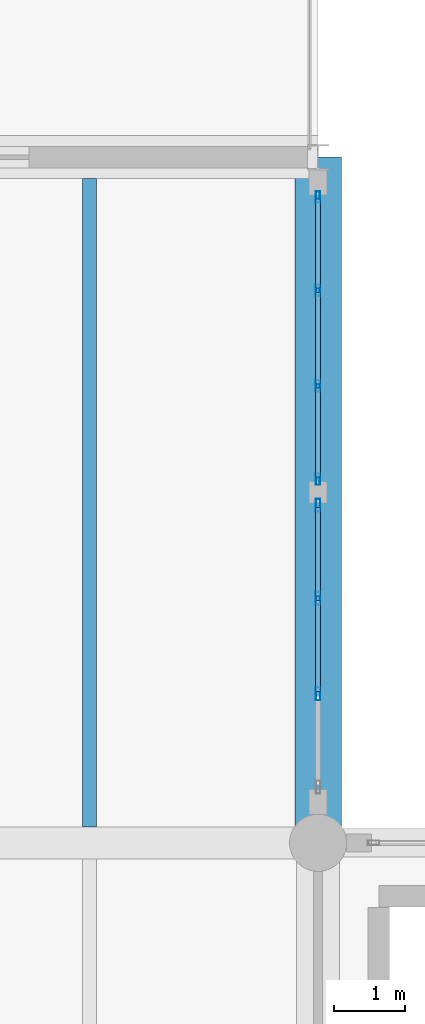
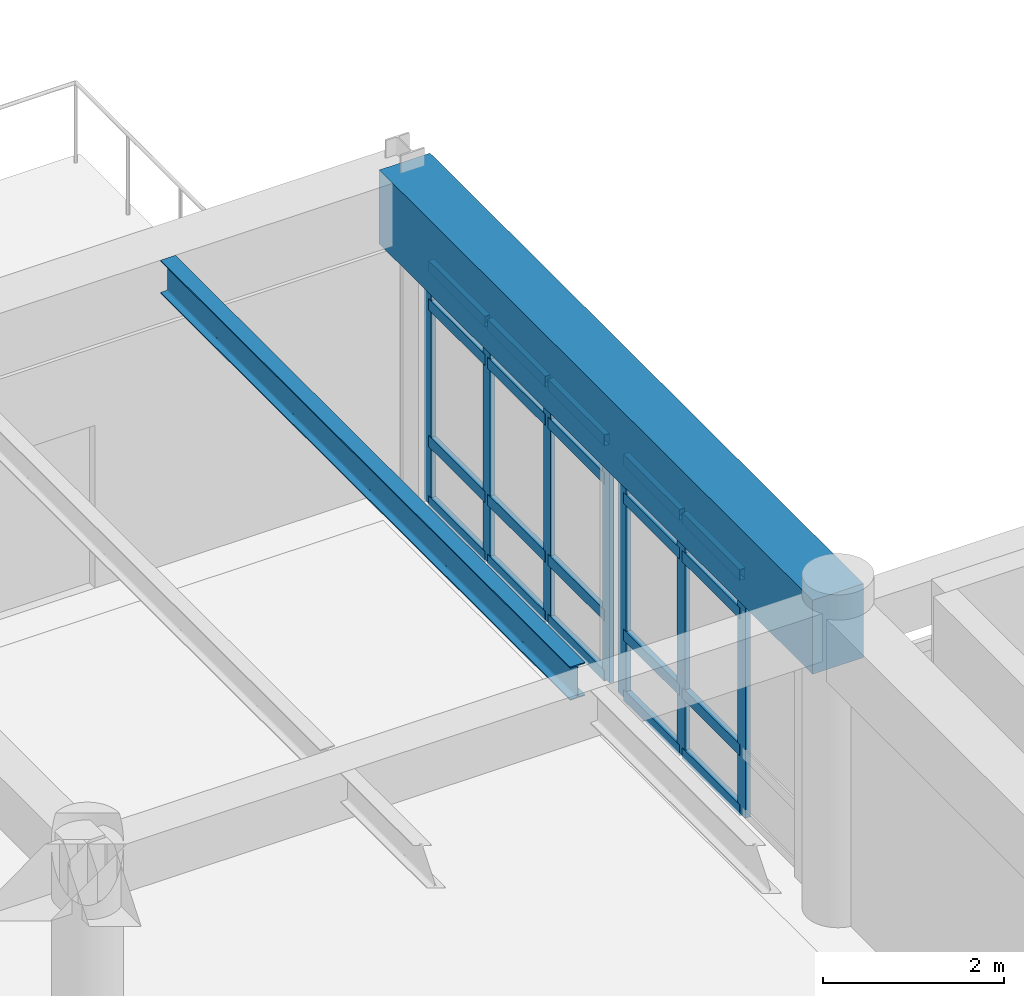
# One storey, part 17 of 80: 27 members, 2 beams, 2 elements without a shape of their own.
"""IFC4 building model written with IfcOpenShell, lengths in metres."""

from ifc_helpers import new_model, si_unit, direction, frame, origin, origin_2d, place, context, subcontext, project, spatial, rectangle, hollow_rectangle, i_section, extrude, material, layer, layer_set, material_profile, profile_set, type_object, element, aggregate, save


model = new_model("IFC4")

# Units and contexts
model_context = context("Model", 3, precision=1e-05, world=origin(), true_north=direction((0.0, 1.0)))
body_context = subcontext(model_context, "Body", "Model", "MODEL_VIEW")
ifc_project = project(units=[si_unit("LENGTHUNIT", "METRE"), si_unit("AREAUNIT", "SQUARE_METRE"), si_unit("VOLUMEUNIT", "CUBIC_METRE"), si_unit("PLANEANGLEUNIT", "RADIAN"), si_unit("MASSUNIT", "GRAM", prefix="KILO")], contexts=[model_context])

# Site, building, storey
site_placement = place(None, origin())
site = spatial("IfcSite", under=ifc_project, at=site_placement, CompositionType="ELEMENT")
building_placement = place(site_placement, origin())
building = spatial("IfcBuilding", under=site, at=building_placement, Name="Fikremerkos Civic Library", CompositionType="ELEMENT")
storey_placement = place(building_placement, frame((0.0, 0.0, 9.89990234375)))
storey = spatial("IfcBuildingStorey", under=building, at=storey_placement, Name="L02", CompositionType="ELEMENT", Elevation=9.89990234375)

# Curtain wall, members
ifc_material_1 = material(Name="Anodized aluminium Frame", Category="aluminium")
ifc_layer_1 = layer(ifc_material_1, 0.159912109375, Name="Anodized aluminium Frame")
ifc_layer_set_1 = layer_set([ifc_layer_1], Name="Anodized aluminium Frame")
curtain_wall_type_1 = type_object("IfcCurtainWallType", Name="Unitised curtain wall CW-01 3600x3600", PredefinedType="USERDEFINED", material=ifc_layer_set_1)
curtain_wall_1_placement = place(storey_placement, origin())
curtain_wall_1 = element("IfcCurtainWall", 1, at=curtain_wall_1_placement, inside=storey, type_object=curtain_wall_type_1, Name="Unitised curtain wall CW-01 L02 #145", ObjectType="UNITISED CURTAIN WALL", PredefinedType="USERDEFINED")
ifc_material_profile_1 = material_profile(ifc_material_1, hollow_rectangle(XDim=0.06494140625, YDim=0.179931640625, WallThickness=0.00439453125, at=origin_2d()), Name="ALU 180x65x4.5")
ifc_profile_set_1 = profile_set([ifc_material_profile_1], Name="Anodized aluminium Frame")
member_type_1 = type_object("IfcMemberType", Name="Curtain mullion CWM-01 ALU 180x65x4.5", PredefinedType="MULLION", material=ifc_profile_set_1)
member_1_placement = place(storey_placement, frame((19.199951171875, 35.927490234375, 0.0), z_axis=(0.0, 0.0, 1.0), x_axis=(1.0, 0.0, 0.0)))
member_1 = element("IfcMember", 2, at=member_1_placement, type_object=member_type_1, Name="CW-01 mullion 1", PredefinedType="MULLION", context=body_context, shape_type="SweptSolid", body=[
    extrude(hollow_rectangle(XDim=0.06494140625, YDim=0.179931640625, WallThickness=0.00439453125, at=origin_2d()), origin(), (0.0, 0.0, 1.0), 3.25),
])
member_2_placement = place(storey_placement, frame((19.199951171875, 34.62255859375, 0.0), z_axis=(0.0, 0.0, 1.0), x_axis=(1.0, 0.0, 0.0)))
member_2 = element("IfcMember", 3, at=member_2_placement, type_object=member_type_1, Name="CW-01 mullion 2", PredefinedType="MULLION", context=body_context, shape_type="SweptSolid", body=[
    extrude(hollow_rectangle(XDim=0.06494140625, YDim=0.179931640625, WallThickness=0.00439453125, at=origin_2d()), origin(), (0.0, 0.0, 1.0), 3.25),
])
member_3_placement = place(storey_placement, frame((19.199951171875, 33.285400390625, 0.0), z_axis=(0.0, 0.0, 1.0), x_axis=(1.0, 0.0, 0.0)))
member_3 = element("IfcMember", 4, at=member_3_placement, type_object=member_type_1, Name="CW-01 mullion 3", PredefinedType="MULLION", context=body_context, shape_type="SweptSolid", body=[
    extrude(hollow_rectangle(XDim=0.06494140625, YDim=0.179931640625, WallThickness=0.00439453125, at=origin_2d()), origin(), (0.0, 0.0, 1.0), 3.25),
])

ifc_layer_2 = layer(ifc_material_1, 0.159912109375, Name="Anodized aluminium Frame")
ifc_layer_set_2 = layer_set([ifc_layer_2], Name="Anodized aluminium Frame")
curtain_wall_type_2 = type_object("IfcCurtainWallType", Name="Unitised curtain wall CW-18 2700x3400", PredefinedType="USERDEFINED", material=ifc_layer_set_2)
curtain_wall_2_placement = place(storey_placement, origin())
curtain_wall_2 = element("IfcCurtainWall", 5, at=curtain_wall_2_placement, inside=storey, type_object=curtain_wall_type_2, Name="Unitised curtain wall CW-18 L02 #144", ObjectType="UNITISED CURTAIN WALL", PredefinedType="USERDEFINED")
ifc_material_profile_2 = material_profile(ifc_material_1, hollow_rectangle(XDim=0.06005859375, YDim=0.159912109375, WallThickness=0.00390625, at=origin_2d()), Name="ALU 160x60x4")
ifc_profile_set_2 = profile_set([ifc_material_profile_2], Name="Anodized aluminium Frame")
member_type_2 = type_object("IfcMemberType", Name="Curtain mullion CWM-02 ALU 160x60x4", PredefinedType="MULLION", material=ifc_profile_set_2)
member_4_placement = place(storey_placement, frame((19.199951171875, 40.241943359375, 0.0), z_axis=(0.0, 0.0, 1.0), x_axis=(1.0, 0.0, 0.0)))
member_4 = element("IfcMember", 6, at=member_4_placement, type_object=member_type_2, Name="CW-18 mullion 1", PredefinedType="MULLION", context=body_context, shape_type="SweptSolid", body=[
    extrude(hollow_rectangle(XDim=0.06005859375, YDim=0.159912109375, WallThickness=0.00390625, at=origin_2d()), origin(), (0.0, 0.0, 1.0), 3.25),
])
member_5_placement = place(storey_placement, frame((19.199951171875, 38.9345703125, 0.0), z_axis=(0.0, 0.0, 1.0), x_axis=(1.0, 0.0, 0.0)))
member_5 = element("IfcMember", 7, at=member_5_placement, type_object=member_type_2, Name="CW-18 mullion 2", PredefinedType="MULLION", context=body_context, shape_type="SweptSolid", body=[
    extrude(hollow_rectangle(XDim=0.06005859375, YDim=0.159912109375, WallThickness=0.00390625, at=origin_2d()), origin(), (0.0, 0.0, 1.0), 3.25),
])
member_6_placement = place(storey_placement, frame((19.199951171875, 37.597412109375, 0.0), z_axis=(0.0, 0.0, 1.0), x_axis=(1.0, 0.0, 0.0)))
member_6 = element("IfcMember", 8, at=member_6_placement, type_object=member_type_2, Name="CW-18 mullion 3", PredefinedType="MULLION", context=body_context, shape_type="SweptSolid", body=[
    extrude(hollow_rectangle(XDim=0.06005859375, YDim=0.159912109375, WallThickness=0.00390625, at=origin_2d()), origin(), (0.0, 0.0, 1.0), 3.25),
])
member_7_placement = place(storey_placement, frame((19.199951171875, 36.2900390625, 0.0), z_axis=(0.0, 0.0, 1.0), x_axis=(1.0, 0.0, 0.0)))
member_7 = element("IfcMember", 9, at=member_7_placement, type_object=member_type_2, Name="CW-18 mullion 4", PredefinedType="MULLION", context=body_context, shape_type="SweptSolid", body=[
    extrude(hollow_rectangle(XDim=0.06005859375, YDim=0.159912109375, WallThickness=0.00390625, at=origin_2d()), origin(), (0.0, 0.0, 1.0), 3.25),
])
ifc_material_profile_3 = material_profile(ifc_material_1, hollow_rectangle(XDim=0.070068359375, YDim=0.14990234375, WallThickness=0.00439453125, at=origin_2d()), Name="ALU 150x70x4.5")
ifc_profile_set_3 = profile_set([ifc_material_profile_3], Name="Anodized aluminium Frame")
member_type_3 = type_object("IfcMemberType", Name="Curtain transom CWT-01 ALU 150x70x4.5", PredefinedType="USERDEFINED", material=ifc_profile_set_3)
member_8_placement = place(storey_placement, frame((19.199951171875, 40.2119140625, 0.03515625), z_axis=(0.0, -1.0, 0.0), x_axis=(1.0, 0.0, 0.0)))
member_8 = element("IfcMember", 10, at=member_8_placement, type_object=member_type_3, Name="CW-18 transom 1.1", ObjectType="TRANSOM", PredefinedType="USERDEFINED", context=body_context, shape_type="SweptSolid", body=[
    extrude(hollow_rectangle(XDim=0.070068359375, YDim=0.14990234375, WallThickness=0.00439453125, at=origin_2d()), origin(), (0.0, 0.0, 1.0), 1.247314453125),
])
member_9_placement = place(storey_placement, frame((19.199951171875, 40.2119140625, 0.85009765625), z_axis=(0.0, -1.0, 0.0), x_axis=(1.0, 0.0, 0.0)))
member_9 = element("IfcMember", 11, at=member_9_placement, type_object=member_type_3, Name="CW-18 transom 1.2", ObjectType="TRANSOM", PredefinedType="USERDEFINED", context=body_context, shape_type="SweptSolid", body=[
    extrude(hollow_rectangle(XDim=0.070068359375, YDim=0.14990234375, WallThickness=0.00439453125, at=origin_2d()), origin(), (0.0, 0.0, 1.0), 1.247314453125),
])
member_10_placement = place(storey_placement, frame((19.199951171875, 40.2119140625, 2.7001953125), z_axis=(0.0, -1.0, 0.0), x_axis=(1.0, 0.0, 0.0)))
member_10 = element("IfcMember", 12, at=member_10_placement, type_object=member_type_3, Name="CW-18 transom 1.3", ObjectType="TRANSOM", PredefinedType="USERDEFINED", context=body_context, shape_type="SweptSolid", body=[
    extrude(hollow_rectangle(XDim=0.070068359375, YDim=0.14990234375, WallThickness=0.00439453125, at=origin_2d()), origin(), (0.0, 0.0, 1.0), 1.247314453125),
])
member_11_placement = place(storey_placement, frame((19.199951171875, 40.2119140625, 3.215087890625), z_axis=(0.0, -1.0, 0.0), x_axis=(1.0, 0.0, 0.0)))
member_11 = element("IfcMember", 13, at=member_11_placement, type_object=member_type_3, Name="CW-18 transom 1.4", ObjectType="TRANSOM", PredefinedType="USERDEFINED", context=body_context, shape_type="SweptSolid", body=[
    extrude(hollow_rectangle(XDim=0.070068359375, YDim=0.14990234375, WallThickness=0.00439453125, at=origin_2d()), origin(), (0.0, 0.0, 1.0), 1.247314453125),
])
member_12_placement = place(storey_placement, frame((19.199951171875, 38.90478515625, 0.03515625), z_axis=(0.0, -1.0, 0.0), x_axis=(1.0, 0.0, 0.0)))
member_12 = element("IfcMember", 14, at=member_12_placement, type_object=member_type_3, Name="CW-18 transom 2.1", ObjectType="TRANSOM", PredefinedType="USERDEFINED", context=body_context, shape_type="SweptSolid", body=[
    extrude(hollow_rectangle(XDim=0.070068359375, YDim=0.14990234375, WallThickness=0.00439453125, at=origin_2d()), origin(), (0.0, 0.0, 1.0), 1.27734375),
])
member_13_placement = place(storey_placement, frame((19.199951171875, 38.90478515625, 0.85009765625), z_axis=(0.0, -1.0, 0.0), x_axis=(1.0, 0.0, 0.0)))
member_13 = element("IfcMember", 15, at=member_13_placement, type_object=member_type_3, Name="CW-18 transom 2.2", ObjectType="TRANSOM", PredefinedType="USERDEFINED", context=body_context, shape_type="SweptSolid", body=[
    extrude(hollow_rectangle(XDim=0.070068359375, YDim=0.14990234375, WallThickness=0.00439453125, at=origin_2d()), origin(), (0.0, 0.0, 1.0), 1.27734375),
])
member_14_placement = place(storey_placement, frame((19.199951171875, 38.90478515625, 2.7001953125), z_axis=(0.0, -1.0, 0.0), x_axis=(1.0, 0.0, 0.0)))
member_14 = element("IfcMember", 16, at=member_14_placement, type_object=member_type_3, Name="CW-18 transom 2.3", ObjectType="TRANSOM", PredefinedType="USERDEFINED", context=body_context, shape_type="SweptSolid", body=[
    extrude(hollow_rectangle(XDim=0.070068359375, YDim=0.14990234375, WallThickness=0.00439453125, at=origin_2d()), origin(), (0.0, 0.0, 1.0), 1.27734375),
])
member_15_placement = place(storey_placement, frame((19.199951171875, 38.90478515625, 3.215087890625), z_axis=(0.0, -1.0, 0.0), x_axis=(1.0, 0.0, 0.0)))
member_15 = element("IfcMember", 17, at=member_15_placement, type_object=member_type_3, Name="CW-18 transom 2.4", ObjectType="TRANSOM", PredefinedType="USERDEFINED", context=body_context, shape_type="SweptSolid", body=[
    extrude(hollow_rectangle(XDim=0.070068359375, YDim=0.14990234375, WallThickness=0.00439453125, at=origin_2d()), origin(), (0.0, 0.0, 1.0), 1.27734375),
])
member_16_placement = place(storey_placement, frame((19.199951171875, 37.5673828125, 0.03515625), z_axis=(0.0, -1.0, 0.0), x_axis=(1.0, 0.0, 0.0)))
member_16 = element("IfcMember", 18, at=member_16_placement, type_object=member_type_3, Name="CW-18 transom 3.1", ObjectType="TRANSOM", PredefinedType="USERDEFINED", context=body_context, shape_type="SweptSolid", body=[
    extrude(hollow_rectangle(XDim=0.070068359375, YDim=0.14990234375, WallThickness=0.00439453125, at=origin_2d()), origin(), (0.0, 0.0, 1.0), 1.247314453125),
])
member_17_placement = place(storey_placement, frame((19.199951171875, 37.5673828125, 0.85009765625), z_axis=(0.0, -1.0, 0.0), x_axis=(1.0, 0.0, 0.0)))
member_17 = element("IfcMember", 19, at=member_17_placement, type_object=member_type_3, Name="CW-18 transom 3.2", ObjectType="TRANSOM", PredefinedType="USERDEFINED", context=body_context, shape_type="SweptSolid", body=[
    extrude(hollow_rectangle(XDim=0.070068359375, YDim=0.14990234375, WallThickness=0.00439453125, at=origin_2d()), origin(), (0.0, 0.0, 1.0), 1.247314453125),
])
member_18_placement = place(storey_placement, frame((19.199951171875, 37.5673828125, 2.7001953125), z_axis=(0.0, -1.0, 0.0), x_axis=(1.0, 0.0, 0.0)))
member_18 = element("IfcMember", 20, at=member_18_placement, type_object=member_type_3, Name="CW-18 transom 3.3", ObjectType="TRANSOM", PredefinedType="USERDEFINED", context=body_context, shape_type="SweptSolid", body=[
    extrude(hollow_rectangle(XDim=0.070068359375, YDim=0.14990234375, WallThickness=0.00439453125, at=origin_2d()), origin(), (0.0, 0.0, 1.0), 1.247314453125),
])
member_19_placement = place(storey_placement, frame((19.199951171875, 37.5673828125, 3.215087890625), z_axis=(0.0, -1.0, 0.0), x_axis=(1.0, 0.0, 0.0)))
member_19 = element("IfcMember", 21, at=member_19_placement, type_object=member_type_3, Name="CW-18 transom 3.4", ObjectType="TRANSOM", PredefinedType="USERDEFINED", context=body_context, shape_type="SweptSolid", body=[
    extrude(hollow_rectangle(XDim=0.070068359375, YDim=0.14990234375, WallThickness=0.00439453125, at=origin_2d()), origin(), (0.0, 0.0, 1.0), 1.247314453125),
])
aggregate(curtain_wall_2, [member_4, member_5, member_6, member_7, member_8, member_9, member_10, member_11, member_12, member_13, member_14, member_15, member_16, member_17, member_18, member_19])

# Member
member_20_placement = place(storey_placement, frame((19.199951171875, 35.89501953125, 0.03515625), z_axis=(0.0, -1.0, 0.0), x_axis=(1.0, 0.0, 0.0)))
member_20 = element("IfcMember", 22, at=member_20_placement, type_object=member_type_3, Name="CW-01 transom 1.1", ObjectType="TRANSOM", PredefinedType="USERDEFINED", context=body_context, shape_type="SweptSolid", body=[
    extrude(hollow_rectangle(XDim=0.070068359375, YDim=0.14990234375, WallThickness=0.00439453125, at=origin_2d()), origin(), (0.0, 0.0, 1.0), 1.23974609375),
])

member_21_placement = place(storey_placement, frame((19.199951171875, 35.89501953125, 0.85009765625), z_axis=(0.0, -1.0, 0.0), x_axis=(1.0, 0.0, 0.0)))
member_21 = element("IfcMember", 23, at=member_21_placement, type_object=member_type_3, Name="CW-01 transom 1.2", ObjectType="TRANSOM", PredefinedType="USERDEFINED", context=body_context, shape_type="SweptSolid", body=[
    extrude(hollow_rectangle(XDim=0.070068359375, YDim=0.14990234375, WallThickness=0.00439453125, at=origin_2d()), origin(), (0.0, 0.0, 1.0), 1.23974609375),
])

member_22_placement = place(storey_placement, frame((19.199951171875, 35.89501953125, 2.7001953125), z_axis=(0.0, -1.0, 0.0), x_axis=(1.0, 0.0, 0.0)))
member_22 = element("IfcMember", 24, at=member_22_placement, type_object=member_type_3, Name="CW-01 transom 1.3", ObjectType="TRANSOM", PredefinedType="USERDEFINED", context=body_context, shape_type="SweptSolid", body=[
    extrude(hollow_rectangle(XDim=0.070068359375, YDim=0.14990234375, WallThickness=0.00439453125, at=origin_2d()), origin(), (0.0, 0.0, 1.0), 1.23974609375),
])

member_23_placement = place(storey_placement, frame((19.199951171875, 35.89501953125, 3.215087890625), z_axis=(0.0, -1.0, 0.0), x_axis=(1.0, 0.0, 0.0)))
member_23 = element("IfcMember", 25, at=member_23_placement, type_object=member_type_3, Name="CW-01 transom 1.4", ObjectType="TRANSOM", PredefinedType="USERDEFINED", context=body_context, shape_type="SweptSolid", body=[
    extrude(hollow_rectangle(XDim=0.070068359375, YDim=0.14990234375, WallThickness=0.00439453125, at=origin_2d()), origin(), (0.0, 0.0, 1.0), 1.23974609375),
])

member_24_placement = place(storey_placement, frame((19.199951171875, 34.590087890625, 0.03515625), z_axis=(0.0, -1.0, 0.0), x_axis=(1.0, 0.0, 0.0)))
member_24 = element("IfcMember", 26, at=member_24_placement, type_object=member_type_3, Name="CW-01 transom 2.1", ObjectType="TRANSOM", PredefinedType="USERDEFINED", context=body_context, shape_type="SweptSolid", body=[
    extrude(hollow_rectangle(XDim=0.070068359375, YDim=0.14990234375, WallThickness=0.00439453125, at=origin_2d()), origin(), (0.0, 0.0, 1.0), 1.272216796875),
])

member_25_placement = place(storey_placement, frame((19.199951171875, 34.590087890625, 0.85009765625), z_axis=(0.0, -1.0, 0.0), x_axis=(1.0, 0.0, 0.0)))
member_25 = element("IfcMember", 27, at=member_25_placement, type_object=member_type_3, Name="CW-01 transom 2.2", ObjectType="TRANSOM", PredefinedType="USERDEFINED", context=body_context, shape_type="SweptSolid", body=[
    extrude(hollow_rectangle(XDim=0.070068359375, YDim=0.14990234375, WallThickness=0.00439453125, at=origin_2d()), origin(), (0.0, 0.0, 1.0), 1.272216796875),
])

member_26_placement = place(storey_placement, frame((19.199951171875, 34.590087890625, 2.7001953125), z_axis=(0.0, -1.0, 0.0), x_axis=(1.0, 0.0, 0.0)))
member_26 = element("IfcMember", 28, at=member_26_placement, type_object=member_type_3, Name="CW-01 transom 2.3", ObjectType="TRANSOM", PredefinedType="USERDEFINED", context=body_context, shape_type="SweptSolid", body=[
    extrude(hollow_rectangle(XDim=0.070068359375, YDim=0.14990234375, WallThickness=0.00439453125, at=origin_2d()), origin(), (0.0, 0.0, 1.0), 1.272216796875),
])

member_27_placement = place(storey_placement, frame((19.199951171875, 34.590087890625, 3.215087890625), z_axis=(0.0, -1.0, 0.0), x_axis=(1.0, 0.0, 0.0)))
member_27 = element("IfcMember", 29, at=member_27_placement, type_object=member_type_3, Name="CW-01 transom 2.4", ObjectType="TRANSOM", PredefinedType="USERDEFINED", context=body_context, shape_type="SweptSolid", body=[
    extrude(hollow_rectangle(XDim=0.070068359375, YDim=0.14990234375, WallThickness=0.00439453125, at=origin_2d()), origin(), (0.0, 0.0, 1.0), 1.272216796875),
])

aggregate(curtain_wall_1, [member_1, member_2, member_3, member_20, member_21, member_22, member_23, member_24, member_25, member_26, member_27])

# Beams
ifc_material_2 = material(Name="Steel S355", Category="steel")
ifc_material_profile_4 = material_profile(ifc_material_2, i_section(OverallWidth=0.18994140625, OverallDepth=0.449951171875, WebThickness=0.009521484375, FlangeThickness=0.0146484375, FilletRadius=0.02099609375, at=origin_2d()), Name="IPE 450")
ifc_profile_set_4 = profile_set([ifc_material_profile_4], Name="Steel S355")
beam_type_1 = type_object("IfcBeamType", Name="Floor joist JS-07 IPE 450", PredefinedType="JOIST", material=ifc_profile_set_4)
beam_1_placement = place(storey_placement, frame((16.0, 31.425048828125, 4.03515625), z_axis=(0.0, 1.0, 0.0), x_axis=(-1.0, 0.0, 0.0)))
element("IfcBeam", 30, at=beam_1_placement, inside=storey, type_object=beam_type_1, Name="Floor joist JS-07 L02 #485", PredefinedType="JOIST", context=body_context, shape_type="SweptSolid", body=[
    extrude(i_section(OverallWidth=0.18994140625, OverallDepth=0.449951171875, WebThickness=0.009521484375, FlangeThickness=0.0146484375, FilletRadius=0.02099609375, at=origin_2d()), origin(), (0.0, 0.0, 1.0), 9.074951171875),
])
ifc_material_3 = material(Name="Concrete C45/55", Category="concrete")
ifc_material_profile_5 = material_profile(ifc_material_3, rectangle(XDim=0.64990234375, YDim=1.0, at=origin_2d()), Name="RC 650x1000")
ifc_profile_set_5 = profile_set([ifc_material_profile_5], Name="Concrete C45/55")
beam_type_2 = type_object("IfcBeamType", Name="Primary girder BM-25 RC 650x1000", PredefinedType="BEAM", material=ifc_profile_set_5)
beam_2_placement = place(storey_placement, frame((19.199951171875, 31.199951171875, 3.760009765625), z_axis=(0.0, 1.0, 0.0), x_axis=(-1.0, 0.0, 0.0)))
element("IfcBeam", 31, at=beam_2_placement, inside=storey, type_object=beam_type_2, Name="Primary girder BM-25 L02 grid 3", PredefinedType="BEAM", context=body_context, shape_type="SweptSolid", body=[
    extrude(rectangle(XDim=0.64990234375, YDim=1.0, at=origin_2d()), origin(), (0.0, 0.0, 1.0), 9.60009765625),
])

save(model, "model.ifc")
